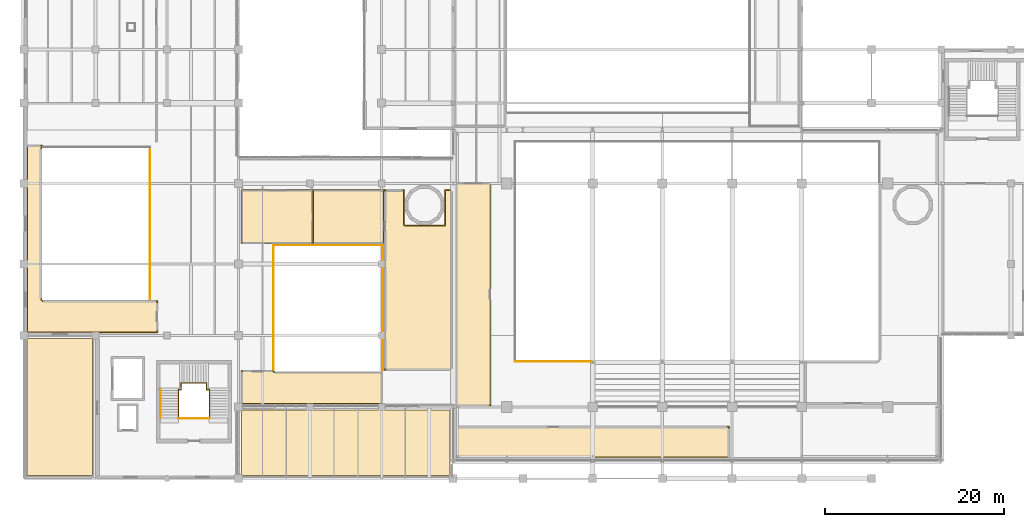
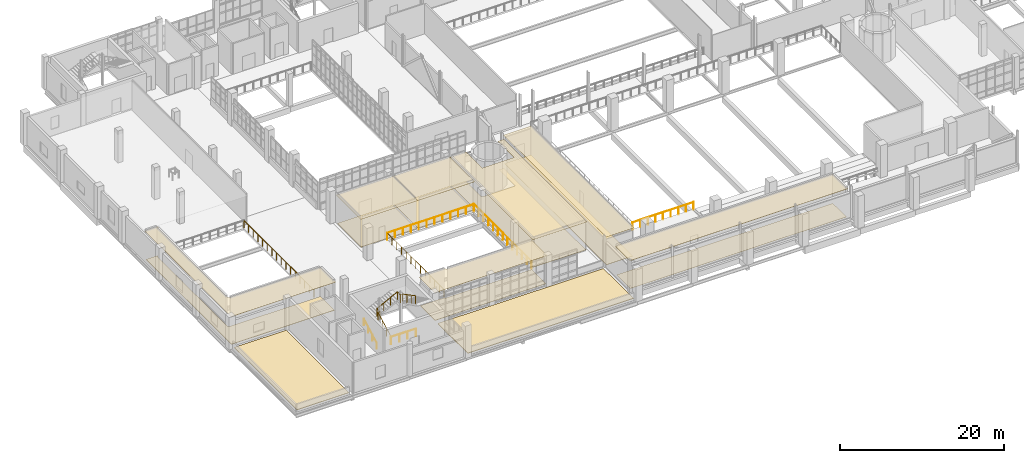
# One storey, part 98 of 102: 16 coverings, 8 railings.
"""IFC4 building model written with IfcOpenShell, lengths in metres."""

import ifcopenshell
import ifcopenshell.guid

model = None  # the IFC model being written
_history = None  # IfcOwnerHistory: only IFC2X3 demands one
_inside = {}  # id of a spatial element -> (the spatial element, [elements in it])
_under = {}  # id of a project, library or spatial element -> (it, [spatial elements below it])
_declared = {}  # id of a project -> (the project, [libraries it declares])
_typed = {}  # id of a type object -> (the type object, [elements of that type])
_made_of = {}  # id of a material, layer set ... -> (it, [elements and type objects made of it])


def new_model(schema):
    """Start an empty IFC model of exactly this schema.

    Asked for "IFC4X3", IfcOpenShell would pick the latest addendum, in which some entities
    have other attributes; the version numbers below select the first issue.
    IFC2X3 requires an IfcOwnerHistory on every rooted entity: one is made here for all.
    """
    global model, _history
    if schema == "IFC4X3":
        model = ifcopenshell.file(schema_version=(4, 3, 0, 0))
    else:
        model = ifcopenshell.file(schema=schema)
    _inside.clear()
    _under.clear()
    _declared.clear()
    _typed.clear()
    _made_of.clear()
    _history = None
    if model.schema == "IFC2X3":
        org = make("IfcOrganization", Name="unknown")
        user = make(
            "IfcPersonAndOrganization",
            ThePerson=make("IfcPerson", FamilyName="unknown"),
            TheOrganization=org,
        )
        app = make(
            "IfcApplication",
            ApplicationDeveloper=org,
            Version="unknown",
            ApplicationFullName="unknown",
            ApplicationIdentifier="unknown",
        )
        _history = make(
            "IfcOwnerHistory",
            OwningUser=user,
            OwningApplication=app,
            ChangeAction="ADDED",
            CreationDate=0,
        )
    return model


def make(cls, **values):
    """One entity of the class cls with the attributes given. An attribute that is None is left unset."""
    return model.create_entity(
        cls, **{name: value for name, value in values.items() if value is not None}
    )


def rooted(cls, **values):
    """An entity with a GlobalId (a new one), such as an element, a storey or a relation."""
    return make(cls, GlobalId=ifcopenshell.guid.new(), OwnerHistory=_history, **values)


def si_unit(unit_type, name, prefix=None):
    """IfcSIUnit, for example si_unit("LENGTHUNIT", "METRE", prefix="MILLI")."""
    return make("IfcSIUnit", UnitType=unit_type, Prefix=prefix, Name=name)


def derived_unit(unit_type, elements):
    """IfcDerivedUnit: a product of units, each with its exponent."""
    return make(
        "IfcDerivedUnit",
        Elements=[
            make("IfcDerivedUnitElement", Unit=unit, Exponent=power)
            for unit, power in elements
        ],
        UnitType=unit_type,
    )


def assignment(units):
    """IfcUnitAssignment: the units of a project."""
    return None if units is None else make("IfcUnitAssignment", Units=units)


def point(xyz):
    """IfcCartesianPoint."""
    return None if xyz is None else make("IfcCartesianPoint", Coordinates=xyz)


def direction(xyz):
    """IfcDirection."""
    return None if xyz is None else make("IfcDirection", DirectionRatios=xyz)


def frame(location, z_axis=None, x_axis=None):
    """IfcAxis2Placement3D, a coordinate frame: its origin and axes. An axis left out is left unset."""
    return make(
        "IfcAxis2Placement3D",
        Location=point(location),
        Axis=direction(z_axis),
        RefDirection=direction(x_axis),
    )


def frame_2d(location, x_axis=None):
    """IfcAxis2Placement2D, a coordinate frame in the plane: its origin and x axis."""
    return make(
        "IfcAxis2Placement2D", Location=point(location), RefDirection=direction(x_axis)
    )


def origin():
    """The frame at (0, 0, 0) with its axes left unset."""
    return frame((0.0, 0.0, 0.0))


def origin_2d():
    """The frame at (0, 0) in the plane with its x axis left unset."""
    return frame_2d((0.0, 0.0))


def place(relative_to, where):
    """IfcLocalPlacement: puts the frame where relative to a parent placement (None: the world)."""
    return make(
        "IfcLocalPlacement", PlacementRelTo=relative_to, RelativePlacement=where
    )


def context(
    kind, dimensions, precision=None, world=None, true_north=None, identifier=None
):
    """IfcGeometricRepresentationContext, for example the 3D "Model" context."""
    return make(
        "IfcGeometricRepresentationContext",
        ContextIdentifier=identifier,
        ContextType=kind,
        CoordinateSpaceDimension=dimensions,
        Precision=precision,
        WorldCoordinateSystem=world,
        TrueNorth=true_north,
    )


def subcontext(parent, identifier, kind, view, scale=None):
    """IfcGeometricRepresentationSubContext, for example "Body" below "Model"."""
    return make(
        "IfcGeometricRepresentationSubContext",
        ContextIdentifier=identifier,
        ContextType=kind,
        ParentContext=parent,
        TargetScale=scale,
        TargetView=view,
    )


def project(units=None, contexts=None):
    """IfcProject with its units and contexts."""
    return rooted(
        "IfcProject",
        Name="project",
        RepresentationContexts=contexts,
        UnitsInContext=assignment(units),
    )


def spatial(cls, under=None, at=None, **own):
    """A site, building, storey or space (cls), placed at a placement, below another one or the project."""
    s = rooted(cls, ObjectPlacement=at, **own)
    if under is not None:
        _under.setdefault(under.id(), (under, []))[1].append(s)
    return s


def polyline(points):
    """IfcPolyline through the points."""
    return make("IfcPolyline", Points=[point(p) for p in points])


def profile(cls, at=None, kind="AREA", **sizes):
    """A parametric profile (cls). Its sizes go by their IFC names, for example OverallWidth=200.0."""
    return make(cls, ProfileType=kind, Position=at, **sizes)


def circle(**sizes):
    """IfcCircleProfileDef."""
    return profile("IfcCircleProfileDef", **sizes)


def outline(outer, holes=None, kind="AREA"):
    """IfcArbitraryClosedProfileDef: a profile drawn as a closed curve; with holes, ...WithVoids."""
    if holes is None:
        return make("IfcArbitraryClosedProfileDef", ProfileType=kind, OuterCurve=outer)
    return make(
        "IfcArbitraryProfileDefWithVoids",
        ProfileType=kind,
        OuterCurve=outer,
        InnerCurves=holes,
    )


def extrude(swept, where, along, depth):
    """IfcExtrudedAreaSolid: the profile swept, set in the frame where, extruded along a direction by depth."""
    return make(
        "IfcExtrudedAreaSolid",
        SweptArea=swept,
        Position=where,
        ExtrudedDirection=direction(along),
        Depth=depth,
    )


def shape(context_of_items, identifier, shape_type, items):
    """IfcShapeRepresentation: the items that make up one representation, for example the "Body"."""
    return make(
        "IfcShapeRepresentation",
        ContextOfItems=context_of_items,
        RepresentationIdentifier=identifier,
        RepresentationType=shape_type,
        Items=items,
    )


def material(Name=None, Category=None):
    """IfcMaterial."""
    return make("IfcMaterial", Name=Name, Category=Category)


def layer(
    of_material, thickness, ventilated=None, Name=None, Category=None, Priority=None
):
    """IfcMaterialLayer: one layer of a wall or slab, of a material (None: an air gap)."""
    return make(
        "IfcMaterialLayer",
        Material=of_material,
        LayerThickness=thickness,
        IsVentilated=ventilated,
        Name=Name,
        Category=Category,
        Priority=Priority,
    )


def layer_set(layers, Name=None):
    """IfcMaterialLayerSet."""
    return make("IfcMaterialLayerSet", MaterialLayers=layers, LayerSetName=Name)


def made_of(thing, what):
    """Note that an element or type object is made of a material, layer set ...; save() writes the relation."""
    if what is not None:
        _made_of.setdefault(what.id(), (what, []))[1].append(thing)
    return thing


def type_object(cls, material=None, **own):
    """A type object (cls), such as IfcWallType, which elements share."""
    return made_of(rooted(cls, **own), material)


def element(
    cls,
    number,
    at=None,
    inside=None,
    cuts=None,
    type_object=None,
    material=None,
    context=None,
    identifier="Body",
    shape_type=None,
    held_by="IfcProductDefinitionShape",
    body=None,
    shapes=None,
    **own,
):
    """One element of the class cls, such as IfcWall. Its Tag is "e" and its number.

    at: its placement. inside: the storey or other place that contains it. cuts: it is an
    opening in that element (IfcRelVoidsElement). A single representation is given by context,
    identifier, shape_type and body (its items); several are given by shapes. held_by: the class
    of the entity that holds the representations. save() writes the other relations.
    """
    e = rooted(cls, Tag="e%d" % number, ObjectPlacement=at, **own)
    if body is not None:
        shapes = [shape(context, identifier, shape_type, body)]
    if shapes is not None:
        e.Representation = make(held_by, Representations=shapes)
    if inside is not None:
        _inside.setdefault(inside.id(), (inside, []))[1].append(e)
    if cuts is not None:
        rooted(
            "IfcRelVoidsElement", RelatingBuildingElement=cuts, RelatedOpeningElement=e
        )
    if type_object is not None:
        _typed.setdefault(type_object.id(), (type_object, []))[1].append(e)
    return made_of(e, material)


def aggregate(whole, parts):
    """IfcRelAggregates: a whole, such as a stair, and the parts it consists of."""
    return rooted("IfcRelAggregates", RelatingObject=whole, RelatedObjects=parts)


def save(model, path):
    """Write the relations noted so far, then the file.

    IfcRelAggregates (storeys below a building ...), IfcRelContainedInSpatialStructure (elements
    in a storey), IfcRelDefinesByType, IfcRelAssociatesMaterial and IfcRelDeclares: one each for
    every whole, place, type object, material and project.
    """
    for whole, parts in _under.values():
        aggregate(whole, parts)
    for where, things in _inside.values():
        rooted(
            "IfcRelContainedInSpatialStructure",
            RelatedElements=things,
            RelatingStructure=where,
        )
    for kind, things in _typed.values():
        rooted("IfcRelDefinesByType", RelatedObjects=things, RelatingType=kind)
    for what, things in _made_of.values():
        rooted("IfcRelAssociatesMaterial", RelatedObjects=things, RelatingMaterial=what)
    for by, libraries in _declared.values():
        rooted("IfcRelDeclares", RelatingContext=by, RelatedDefinitions=libraries)
    model.write(path)


model = new_model("IFC4")

# Units and contexts
model_context = context("Model", 3, precision=1e-05, world=origin(), true_north=direction((0.0, 1.0)))
body_context = subcontext(model_context, "Body", "Model", "MODEL_VIEW")
ifc_project = project(units=[si_unit("LENGTHUNIT", "METRE"), si_unit("AREAUNIT", "SQUARE_METRE"), si_unit("VOLUMEUNIT", "CUBIC_METRE"), si_unit("PLANEANGLEUNIT", "RADIAN"), si_unit("MASSUNIT", "GRAM", prefix="KILO"), derived_unit("THERMALTRANSMITTANCEUNIT", [(si_unit("POWERUNIT", "WATT"), 1), (si_unit("LENGTHUNIT", "METRE"), -2), (si_unit("THERMODYNAMICTEMPERATUREUNIT", "KELVIN"), -1)])], contexts=[model_context])

# Site, building, storey
site_placement = place(None, origin())
site = spatial("IfcSite", under=ifc_project, at=site_placement, CompositionType="ELEMENT")
building_placement = place(site_placement, origin())
building = spatial("IfcBuilding", under=site, at=building_placement, Name="Nallur Shell Playhouse", CompositionType="ELEMENT")
storey_placement = place(building_placement, frame((0.0, 0.0, 15.0)))
storey = spatial("IfcBuildingStorey", under=building, at=storey_placement, Name="L04", CompositionType="ELEMENT", Elevation=15.0)

# Coverings
ifc_material_1 = material(Name="Micro-Perforated Teak Veneer Acoustic Baffle Ceiling")
ifc_layer_1 = layer(ifc_material_1, 0.044921875)
ifc_layer_set_1 = layer_set([ifc_layer_1], Name="Micro-Perforated Teak Veneer Acoustic Baffle Ceiling")
covering_type_1 = type_object("IfcCoveringType", Name="CV-CEIL-AC1", PredefinedType="CEILING", material=ifc_layer_set_1)
covering_1_placement = place(storey_placement, frame((0.0, 0.0, 4.205078125)))
element("IfcCovering", 1, at=covering_1_placement, inside=storey, type_object=covering_type_1, Name="Main Theatre Sound, Lighting & Projection Booths suspended acoustic ceiling", PredefinedType="CEILING", context=body_context, shape_type="SweptSolid", body=[
    extrude(outline(polyline([(94.909912109375, 13.860107421875), (94.909912109375, 10.2900390625), (64.2900390625, 10.2900390625), (64.2900390625, 13.860107421875), (94.909912109375, 13.860107421875)])), origin(), (0.0, 0.0, 1.0), 0.044921875),
])
covering_2_placement = place(storey_placement, frame((0.0, 0.0, 4.205078125)))
element("IfcCovering", 2, at=covering_2_placement, inside=storey, type_object=covering_type_1, Name="Upper Circle Espresso & Refreshment Kiosk suspended acoustic ceiling", PredefinedType="CEILING", context=body_context, shape_type="SweptSolid", body=[
    extrude(outline(polyline([(56.2900390625, 40.31005859375), (58.56005859375, 40.31005859375), (58.56005859375, 36.360107421875), (63.0400390625, 36.360107421875), (63.0400390625, 40.31005859375), (63.909912109375, 40.31005859375), (63.909912109375, 20.090087890625), (56.2900390625, 20.090087890625), (56.2900390625, 40.31005859375)])), origin(), (0.0, 0.0, 1.0), 0.044921875),
])
covering_3_placement = place(storey_placement, frame((0.0, 0.0, 4.205078125)))
element("IfcCovering", 3, at=covering_3_placement, inside=storey, type_object=covering_type_1, Name="Upper Circle Female Restroom suspended acoustic ceiling", PredefinedType="CEILING", context=body_context, shape_type="SweptSolid", body=[
    extrude(outline(polyline([(48.2900390625, 40.31005859375), (56.31005859375, 40.31005859375), (56.31005859375, 34.2900390625), (48.2900390625, 34.2900390625), (48.2900390625, 40.31005859375)])), origin(), (0.0, 0.0, 1.0), 0.044921875),
])
ifc_material_2 = material(Name="Mineral-Fibre High-NRC Suspended Ceiling Tile")
ifc_layer_2 = layer(ifc_material_2, 0.030029296875)
ifc_layer_set_2 = layer_set([ifc_layer_2], Name="Mineral-Fibre High-NRC Suspended Ceiling Tile")
covering_type_2 = type_object("IfcCoveringType", Name="CV-CEIL-AC2", PredefinedType="CEILING", material=ifc_layer_set_2)
covering_4_placement = place(storey_placement, frame((0.0, 0.0, 4.219970703125)))
element("IfcCovering", 4, at=covering_4_placement, inside=storey, type_object=covering_type_2, Name="Upper Circle Donors & Composers Lounge suspended acoustic ceiling", PredefinedType="CEILING", context=body_context, shape_type="SweptSolid", body=[
    extrude(outline(polyline([(68.2099609375, 41.110107421875), (68.2099609375, 16.090087890625), (64.2900390625, 16.090087890625), (64.2900390625, 41.110107421875), (68.2099609375, 41.110107421875)])), origin(), (0.0, 0.0, 1.0), 0.030029296875),
])
covering_5_placement = place(storey_placement, frame((0.0, 0.0, 4.219970703125)))
element("IfcCovering", 5, at=covering_5_placement, inside=storey, type_object=covering_type_2, Name="Upper Circle Panoramic Overlook Gallery suspended acoustic ceiling", PredefinedType="CEILING", context=body_context, shape_type="SweptSolid", body=[
    extrude(outline(polyline([(43.97509765625, 19.983642578125), (43.976806640625, 19.981201171875), (43.97900390625, 19.97900390625), (43.981201171875, 19.976806640625), (43.983642578125, 19.97509765625), (43.98583984375, 19.9736328125), (43.988525390625, 19.972412109375), (43.991455078125, 19.971435546875), (43.993896484375, 19.970703125), (43.9970703125, 19.97021484375), (44.002685546875, 19.969970703125), (56.110107421875, 19.969970703125), (56.110107421875, 16.2900390625), (40.2900390625, 16.2900390625), (40.2900390625, 20.110107421875), (43.964599609375, 20.110107421875), (43.97021484375, 19.9970703125), (43.970703125, 19.993896484375), (43.971435546875, 19.991455078125), (43.972412109375, 19.988525390625), (43.9736328125, 19.98583984375), (43.97509765625, 19.983642578125)])), origin(), (0.0, 0.0, 1.0), 0.030029296875),
])
covering_6_placement = place(storey_placement, frame((0.0, 0.0, 4.219970703125)))
element("IfcCovering", 6, at=covering_6_placement, inside=storey, type_object=covering_type_2, Name="Black-Box Tension Wire-Grid & Technical Catwalk suspended acoustic ceiling", PredefinedType="CEILING", context=body_context, shape_type="SweptSolid", body=[
    extrude(outline(polyline([(17.992431640625, 45.00634765625), (17.99169921875, 45.005615234375), (17.9912109375, 45.004638671875), (17.990966796875, 45.00390625), (17.990478515625, 45.0029296875), (17.990234375, 45.001708984375), (17.990234375, 45.0009765625), (17.989990234375, 44.997314453125), (17.989990234375, 28.002685546875), (17.990234375, 27.9990234375), (17.990234375, 27.998291015625), (17.990478515625, 27.9970703125), (17.990966796875, 27.99609375), (17.9912109375, 27.995361328125), (17.99169921875, 27.994384765625), (17.992431640625, 27.99365234375), (17.992919921875, 27.992919921875), (17.99365234375, 27.992431640625), (17.994384765625, 27.99169921875), (17.995361328125, 27.9912109375), (17.99609375, 27.990966796875), (17.9970703125, 27.990478515625), (17.998291015625, 27.990234375), (17.9990234375, 27.990234375), (18.110107421875, 27.984619140625), (18.110107421875, 27.909912109375), (30.989990234375, 27.909912109375), (30.989990234375, 24.2900390625), (16.2900390625, 24.2900390625), (16.2900390625, 45.31005859375), (18.110107421875, 45.31005859375), (18.110107421875, 45.015380859375), (17.9990234375, 45.009765625), (17.998291015625, 45.009765625), (17.9970703125, 45.009521484375), (17.99609375, 45.009033203125), (17.995361328125, 45.0087890625), (17.994384765625, 45.00830078125), (17.99365234375, 45.007568359375), (17.992919921875, 45.007080078125), (17.992431640625, 45.00634765625)])), origin(), (0.0, 0.0, 1.0), 0.030029296875),
])
covering_7_placement = place(storey_placement, frame((0.0, 0.0, 4.219970703125)))
element("IfcCovering", 7, at=covering_7_placement, inside=storey, type_object=covering_type_2, Name="Upper Circle Male Restroom suspended acoustic ceiling", PredefinedType="CEILING", context=body_context, shape_type="SweptSolid", body=[
    extrude(outline(polyline([(40.2900390625, 40.31005859375), (48.31005859375, 40.31005859375), (48.31005859375, 34.2900390625), (40.2900390625, 34.2900390625), (40.2900390625, 40.31005859375)])), origin(), (0.0, 0.0, 1.0), 0.030029296875),
])
ifc_material_3 = material(Name="Heavy-Duty Woven Wool Auditorium Acoustic Flooring")
ifc_layer_3 = layer(ifc_material_3, 0.02001953125)
ifc_layer_set_3 = layer_set([ifc_layer_3], Name="Heavy-Duty Woven Wool Auditorium Acoustic Flooring")
covering_type_3 = type_object("IfcCoveringType", Name="CV-FLOR-CARPET", PredefinedType="FLOORING", material=ifc_layer_set_3)
covering_8_placement = place(storey_placement, origin())
element("IfcCovering", 8, at=covering_8_placement, inside=storey, type_object=covering_type_3, Name="Main Theatre Sound, Lighting & Projection Booths floor finish", PredefinedType="FLOORING", context=body_context, shape_type="SweptSolid", body=[
    extrude(outline(polyline([(94.800048828125, 13.75), (94.800048828125, 10.39990234375), (64.39990234375, 10.39990234375), (64.39990234375, 13.75), (94.800048828125, 13.75)])), origin(), (0.0, 0.0, 1.0), 0.02001953125),
])
ifc_material_4 = material(Name="Polished Chettinad Oxide & White Marble Terrazzo Flooring", Category="masonry")
ifc_layer_4 = layer(ifc_material_4, 0.050048828125)
ifc_layer_set_4 = layer_set([ifc_layer_4], Name="Polished Chettinad Oxide & White Marble Terrazzo Flooring")
covering_type_4 = type_object("IfcCoveringType", Name="CV-FLOR-TERRAZZO", PredefinedType="FLOORING", material=ifc_layer_set_4)
covering_9_placement = place(storey_placement, origin())
element("IfcCovering", 9, at=covering_9_placement, inside=storey, type_object=covering_type_4, Name="Upper Circle Donors & Composers Lounge floor finish", PredefinedType="FLOORING", context=body_context, shape_type="SweptSolid", body=[
    extrude(outline(polyline([(68.10009765625, 41.0), (68.10009765625, 16.199951171875), (64.39990234375, 16.199951171875), (64.39990234375, 41.0), (68.10009765625, 41.0)])), origin(), (0.0, 0.0, 1.0), 0.050048828125),
])
covering_10_placement = place(storey_placement, origin())
element("IfcCovering", 10, at=covering_10_placement, inside=storey, type_object=covering_type_4, Name="Upper Circle Panoramic Overlook Gallery floor finish", PredefinedType="FLOORING", context=body_context, shape_type="SweptSolid", body=[
    extrude(outline(polyline([(43.883544921875, 19.922119140625), (43.891845703125, 19.9111328125), (43.90087890625, 19.90087890625), (43.9111328125, 19.891845703125), (43.922119140625, 19.883544921875), (43.93408203125, 19.87646484375), (43.9462890625, 19.87060546875), (43.95947265625, 19.865966796875), (43.97265625, 19.86279296875), (43.986328125, 19.860595703125), (44.0, 19.860107421875), (56.0, 19.860107421875), (56.0, 16.39990234375), (40.39990234375, 16.39990234375), (40.39990234375, 20.0), (43.860107421875, 20.0), (43.860595703125, 19.986328125), (43.86279296875, 19.97265625), (43.865966796875, 19.95947265625), (43.87060546875, 19.9462890625), (43.87646484375, 19.93408203125), (43.883544921875, 19.922119140625)])), origin(), (0.0, 0.0, 1.0), 0.050048828125),
])
covering_11_placement = place(storey_placement, origin())
element("IfcCovering", 11, at=covering_11_placement, inside=storey, type_object=covering_type_4, Name="Upper Circle Espresso & Refreshment Kiosk floor finish", PredefinedType="FLOORING", context=body_context, shape_type="SweptSolid", body=[
    extrude(outline(polyline([(58.466796875, 36.29443359375), (58.47265625, 36.28662109375), (58.479248046875, 36.279296875), (58.486572265625, 36.272705078125), (58.494384765625, 36.266845703125), (58.5029296875, 36.26171875), (58.51171875, 36.257568359375), (58.52099609375, 36.25439453125), (58.530517578125, 36.251953125), (58.540283203125, 36.25048828125), (58.550048828125, 36.25), (63.050048828125, 36.25), (63.059814453125, 36.25048828125), (63.069580078125, 36.251953125), (63.0791015625, 36.25439453125), (63.08837890625, 36.257568359375), (63.09716796875, 36.26171875), (63.105712890625, 36.266845703125), (63.11328125, 36.272705078125), (63.12060546875, 36.279296875), (63.127197265625, 36.28662109375), (63.133056640625, 36.29443359375), (63.13818359375, 36.302978515625), (63.142333984375, 36.311767578125), (63.145751953125, 36.321044921875), (63.148193359375, 36.33056640625), (63.1494140625, 36.340087890625), (63.14990234375, 36.35009765625), (63.14990234375, 40.199951171875), (63.800048828125, 40.199951171875), (63.800048828125, 20.199951171875), (56.39990234375, 20.199951171875), (56.39990234375, 40.199951171875), (58.449951171875, 40.199951171875), (58.449951171875, 36.35009765625), (58.450439453125, 36.340087890625), (58.451904296875, 36.33056640625), (58.454345703125, 36.321044921875), (58.45751953125, 36.311767578125), (58.4619140625, 36.302978515625), (58.466796875, 36.29443359375)])), origin(), (0.0, 0.0, 1.0), 0.050048828125),
])
covering_12_placement = place(storey_placement, origin())
element("IfcCovering", 12, at=covering_12_placement, inside=storey, type_object=covering_type_4, Name="Upper Circle Male Restroom floor finish", PredefinedType="FLOORING", context=body_context, shape_type="SweptSolid", body=[
    extrude(outline(polyline([(40.39990234375, 40.199951171875), (48.199951171875, 40.199951171875), (48.199951171875, 34.39990234375), (40.39990234375, 34.39990234375), (40.39990234375, 40.199951171875)])), origin(), (0.0, 0.0, 1.0), 0.050048828125),
])
covering_13_placement = place(storey_placement, origin())
element("IfcCovering", 13, at=covering_13_placement, inside=storey, type_object=covering_type_4, Name="Upper Circle Female Restroom floor finish", PredefinedType="FLOORING", context=body_context, shape_type="SweptSolid", body=[
    extrude(outline(polyline([(48.39990234375, 40.199951171875), (56.199951171875, 40.199951171875), (56.199951171875, 34.39990234375), (48.39990234375, 34.39990234375), (48.39990234375, 40.199951171875)])), origin(), (0.0, 0.0, 1.0), 0.050048828125),
])
ifc_material_5 = material(Name="Sprung Semi-Resilient Stage & Dance Hardwood Flooring", Category="wood")
ifc_layer_5 = layer(ifc_material_5, 0.054931640625)
ifc_layer_set_5 = layer_set([ifc_layer_5], Name="Sprung Semi-Resilient Stage & Dance Hardwood Flooring")
covering_type_5 = type_object("IfcCoveringType", Name="CV-FLOR-TIMBER", PredefinedType="FLOORING", material=ifc_layer_set_5)
covering_14_placement = place(storey_placement, origin())
element("IfcCovering", 14, at=covering_14_placement, inside=storey, type_object=covering_type_5, Name="Black-Box Tension Wire-Grid & Technical Catwalk floor finish", PredefinedType="FLOORING", context=body_context, shape_type="SweptSolid", body=[
    extrude(outline(polyline([(17.9072265625, 45.076171875), (17.900146484375, 45.066650390625), (17.894287109375, 45.056640625), (17.88916015625, 45.0458984375), (17.88525390625, 45.034912109375), (17.88232421875, 45.0234375), (17.880615234375, 45.01171875), (17.8798828125, 45.0), (17.8798828125, 28.0), (17.880615234375, 27.98828125), (17.88232421875, 27.9765625), (17.88525390625, 27.965087890625), (17.88916015625, 27.9541015625), (17.894287109375, 27.943359375), (17.900146484375, 27.933349609375), (17.9072265625, 27.923828125), (17.9150390625, 27.9150390625), (17.923828125, 27.9072265625), (17.933349609375, 27.900146484375), (17.943359375, 27.894287109375), (17.9541015625, 27.88916015625), (17.965087890625, 27.88525390625), (17.9765625, 27.88232421875), (17.98828125, 27.880615234375), (18.0, 27.8798828125), (18.0, 27.800048828125), (30.8798828125, 27.800048828125), (30.8798828125, 24.39990234375), (18.0, 24.39990234375), (16.39990234375, 24.39990234375), (16.39990234375, 27.800048828125), (16.39990234375, 45.199951171875), (18.0, 45.199951171875), (18.0, 45.1201171875), (17.98828125, 45.119384765625), (17.9765625, 45.11767578125), (17.965087890625, 45.11474609375), (17.9541015625, 45.11083984375), (17.943359375, 45.105712890625), (17.933349609375, 45.099853515625), (17.923828125, 45.0927734375), (17.9150390625, 45.0849609375), (17.9072265625, 45.076171875)])), origin(), (0.0, 0.0, 1.0), 0.054931640625),
])
ifc_material_6 = material(Name="TPO Reflective Waterproofing & Rigid PIR Roof Insulation")
ifc_layer_6 = layer(ifc_material_6, 0.06494140625)
ifc_layer_set_6 = layer_set([ifc_layer_6], Name="TPO Reflective Waterproofing & Rigid PIR Roof Insulation")
covering_type_6 = type_object("IfcCoveringType", Name="CV-ROOF-MEMB1", PredefinedType="ROOFING", material=ifc_layer_set_6)
covering_15_placement = place(storey_placement, origin())
element("IfcCovering", 15, at=covering_15_placement, inside=storey, type_object=covering_type_6, Name="L04 insulated waterproof roof covering 19", PredefinedType="ROOFING", context=body_context, shape_type="SweptSolid", body=[
    extrude(outline(polyline([(16.35009765625, 23.64990234375), (23.64990234375, 23.64990234375), (23.64990234375, 8.35009765625), (16.35009765625, 8.35009765625), (16.35009765625, 23.64990234375)])), origin(), (0.0, 0.0, 1.0), 0.06494140625),
])
ifc_material_7 = material(Name="Standing-Seam Zinc-Aluminium Acoustic Roof Build-Up", Category="aluminium")
ifc_layer_7 = layer(ifc_material_7, 0.080078125)
ifc_layer_set_7 = layer_set([ifc_layer_7], Name="Standing-Seam Zinc-Aluminium Acoustic Roof Build-Up")
covering_type_7 = type_object("IfcCoveringType", Name="CV-ROOF-MEMB2", PredefinedType="ROOFING", material=ifc_layer_set_7)
covering_16_placement = place(storey_placement, origin())
element("IfcCovering", 16, at=covering_16_placement, inside=storey, type_object=covering_type_7, Name="L04 insulated waterproof roof covering 16", PredefinedType="ROOFING", context=body_context, shape_type="SweptSolid", body=[
    extrude(outline(polyline([(40.35009765625, 15.64990234375), (63.64990234375, 15.64990234375), (63.64990234375, 8.35009765625), (40.35009765625, 8.35009765625), (40.35009765625, 15.64990234375)])), origin(), (0.0, 0.0, 1.0), 0.080078125),
])

# Railings
ifc_material_8 = material(Name="Bronze-Anodised Foyer Void Acoustic Glass Guardrail", Category="glass")
railing_type_1 = type_object("IfcRailingType", Name="RL-BAL-1100", PredefinedType="BALUSTRADE", material=ifc_material_8)
railing_1_placement = place(storey_placement, frame((70.89990234375, 21.10009765625, 0.0)))
element("IfcRailing", 17, at=railing_1_placement, inside=storey, type_object=railing_type_1, Name="L04 interior void balustrade 015", PredefinedType="BALUSTRADE", context=body_context, shape_type="SweptSolid", body=[
    extrude(circle(Radius=0.02392578125, at=origin_2d()), frame((0.0, 0.0, 1.09619140625), z_axis=(1.0, 0.0, 0.0), x_axis=(0.0, 1.0, 0.0)), (0.0, 0.0, 1.0), 8.580078125),
    extrude(circle(Radius=0.02099609375, at=origin_2d()), origin(), (0.0, 0.0, 1.0), 1.072021484375),
    extrude(circle(Radius=0.02099609375, at=origin_2d()), frame((1.072509765625, 0.0, 0.0)), (0.0, 0.0, 1.0), 1.072021484375),
    extrude(circle(Radius=0.02099609375, at=origin_2d()), frame((2.14501953125, 0.0, 0.0)), (0.0, 0.0, 1.0), 1.072021484375),
    extrude(circle(Radius=0.02099609375, at=origin_2d()), frame((3.217529296875, 0.0, 0.0)), (0.0, 0.0, 1.0), 1.072021484375),
    extrude(circle(Radius=0.02099609375, at=origin_2d()), frame((4.2900390625, 0.0, 0.0)), (0.0, 0.0, 1.0), 1.072021484375),
    extrude(circle(Radius=0.02099609375, at=origin_2d()), frame((5.362548828125, 0.0, 0.0)), (0.0, 0.0, 1.0), 1.072021484375),
    extrude(circle(Radius=0.02099609375, at=origin_2d()), frame((6.43505859375, 0.0, 0.0)), (0.0, 0.0, 1.0), 1.072021484375),
    extrude(circle(Radius=0.02099609375, at=origin_2d()), frame((7.507568359375, 0.0, 0.0)), (0.0, 0.0, 1.0), 1.072021484375),
    extrude(circle(Radius=0.02099609375, at=origin_2d()), frame((8.580078125, 0.0, 0.0)), (0.0, 0.0, 1.0), 1.072021484375),
])
railing_2_placement = place(storey_placement, frame((56.10009765625, 20.060791015625, 0.0)))
element("IfcRailing", 18, at=railing_2_placement, inside=storey, type_object=railing_type_1, Name="L04 interior void balustrade 019", PredefinedType="BALUSTRADE", context=body_context, shape_type="SweptSolid", body=[
    extrude(circle(Radius=0.02392578125, at=origin_2d()), frame((0.0, 0.0, 1.09619140625), z_axis=(0.0, 1.0, 0.0), x_axis=(-1.0, 0.0, 0.0)), (0.0, 0.0, 1.0), 14.039306640625),
    extrude(circle(Radius=0.02099609375, at=origin_2d()), origin(), (0.0, 0.0, 1.0), 1.072021484375),
    extrude(circle(Radius=0.02099609375, at=origin_2d()), frame((0.0, 1.169921875, 0.0)), (0.0, 0.0, 1.0), 1.072021484375),
    extrude(circle(Radius=0.02099609375, at=origin_2d()), frame((0.0, 2.33984375, 0.0)), (0.0, 0.0, 1.0), 1.072021484375),
    extrude(circle(Radius=0.02099609375, at=origin_2d()), frame((0.0, 3.509765625, 0.0)), (0.0, 0.0, 1.0), 1.072021484375),
    extrude(circle(Radius=0.02099609375, at=origin_2d()), frame((0.0, 4.6796875, 0.0)), (0.0, 0.0, 1.0), 1.072021484375),
    extrude(circle(Radius=0.02099609375, at=origin_2d()), frame((0.0, 5.849609375, 0.0)), (0.0, 0.0, 1.0), 1.072021484375),
    extrude(circle(Radius=0.02099609375, at=origin_2d()), frame((0.0, 7.01953125, 0.0)), (0.0, 0.0, 1.0), 1.072021484375),
    extrude(circle(Radius=0.02099609375, at=origin_2d()), frame((0.0, 8.189697265625, 0.0)), (0.0, 0.0, 1.0), 1.072021484375),
    extrude(circle(Radius=0.02099609375, at=origin_2d()), frame((0.0, 9.359619140625, 0.0)), (0.0, 0.0, 1.0), 1.072021484375),
    extrude(circle(Radius=0.02099609375, at=origin_2d()), frame((0.0, 10.529541015625, 0.0)), (0.0, 0.0, 1.0), 1.072021484375),
    extrude(circle(Radius=0.02099609375, at=origin_2d()), frame((0.0, 11.699462890625, 0.0)), (0.0, 0.0, 1.0), 1.072021484375),
    extrude(circle(Radius=0.02099609375, at=origin_2d()), frame((0.0, 12.869384765625, 0.0)), (0.0, 0.0, 1.0), 1.072021484375),
    extrude(circle(Radius=0.02099609375, at=origin_2d()), frame((0.0, 14.039306640625, 0.0)), (0.0, 0.0, 1.0), 1.072021484375),
])
railing_3_placement = place(storey_placement, frame((56.10009765625, 34.10009765625, 0.0)))
element("IfcRailing", 19, at=railing_3_placement, inside=storey, type_object=railing_type_1, Name="L04 interior void balustrade 020", PredefinedType="BALUSTRADE", context=body_context, shape_type="SweptSolid", body=[
    extrude(circle(Radius=0.02392578125, at=origin_2d()), frame((0.0, 0.0, 1.09619140625), z_axis=(-1.0, 0.0, 0.0), x_axis=(0.0, -1.0, 0.0)), (0.0, 0.0, 1.0), 12.2001953125),
    extrude(circle(Radius=0.02099609375, at=origin_2d()), origin(), (0.0, 0.0, 1.0), 1.072021484375),
    extrude(circle(Radius=0.02099609375, at=origin_2d()), frame((-1.109130859375, 0.0, 0.0)), (0.0, 0.0, 1.0), 1.072021484375),
    extrude(circle(Radius=0.02099609375, at=origin_2d()), frame((-2.21826171875, 0.0, 0.0)), (0.0, 0.0, 1.0), 1.072021484375),
    extrude(circle(Radius=0.02099609375, at=origin_2d()), frame((-3.327392578125, 0.0, 0.0)), (0.0, 0.0, 1.0), 1.072021484375),
    extrude(circle(Radius=0.02099609375, at=origin_2d()), frame((-4.4365234375, 0.0, 0.0)), (0.0, 0.0, 1.0), 1.072021484375),
    extrude(circle(Radius=0.02099609375, at=origin_2d()), frame((-5.545654296875, 0.0, 0.0)), (0.0, 0.0, 1.0), 1.072021484375),
    extrude(circle(Radius=0.02099609375, at=origin_2d()), frame((-6.654541015625, 0.0, 0.0)), (0.0, 0.0, 1.0), 1.072021484375),
    extrude(circle(Radius=0.02099609375, at=origin_2d()), frame((-7.763671875, 0.0, 0.0)), (0.0, 0.0, 1.0), 1.072021484375),
    extrude(circle(Radius=0.02099609375, at=origin_2d()), frame((-8.872802734375, 0.0, 0.0)), (0.0, 0.0, 1.0), 1.072021484375),
    extrude(circle(Radius=0.02099609375, at=origin_2d()), frame((-9.98193359375, 0.0, 0.0)), (0.0, 0.0, 1.0), 1.072021484375),
    extrude(circle(Radius=0.02099609375, at=origin_2d()), frame((-11.091064453125, 0.0, 0.0)), (0.0, 0.0, 1.0), 1.072021484375),
    extrude(circle(Radius=0.02099609375, at=origin_2d()), frame((-12.2001953125, 0.0, 0.0)), (0.0, 0.0, 1.0), 1.072021484375),
])
railing_4_placement = place(storey_placement, frame((43.89990234375, 34.10009765625, 0.0)))
element("IfcRailing", 20, at=railing_4_placement, inside=storey, type_object=railing_type_1, Name="L04 interior void balustrade 021", PredefinedType="BALUSTRADE", context=body_context, shape_type="SweptSolid", body=[
    extrude(circle(Radius=0.02392578125, at=origin_2d()), frame((0.0, 0.0, 1.09619140625), z_axis=(0.0, -1.0, 0.0), x_axis=(1.0, 0.0, 0.0)), (0.0, 0.0, 1.0), 13.85498046875),
    extrude(circle(Radius=0.02099609375, at=origin_2d()), origin(), (0.0, 0.0, 1.0), 1.072021484375),
    extrude(circle(Radius=0.02099609375, at=origin_2d()), frame((0.0, -1.154541015625, 0.0)), (0.0, 0.0, 1.0), 1.072021484375),
    extrude(circle(Radius=0.02099609375, at=origin_2d()), frame((0.0, -2.30908203125, 0.0)), (0.0, 0.0, 1.0), 1.072021484375),
    extrude(circle(Radius=0.02099609375, at=origin_2d()), frame((0.0, -3.4638671875, 0.0)), (0.0, 0.0, 1.0), 1.072021484375),
    extrude(circle(Radius=0.02099609375, at=origin_2d()), frame((0.0, -4.618408203125, 0.0)), (0.0, 0.0, 1.0), 1.072021484375),
    extrude(circle(Radius=0.02099609375, at=origin_2d()), frame((0.0, -5.77294921875, 0.0)), (0.0, 0.0, 1.0), 1.072021484375),
    extrude(circle(Radius=0.02099609375, at=origin_2d()), frame((0.0, -6.927490234375, 0.0)), (0.0, 0.0, 1.0), 1.072021484375),
    extrude(circle(Radius=0.02099609375, at=origin_2d()), frame((0.0, -8.08203125, 0.0)), (0.0, 0.0, 1.0), 1.072021484375),
    extrude(circle(Radius=0.02099609375, at=origin_2d()), frame((0.0, -9.236572265625, 0.0)), (0.0, 0.0, 1.0), 1.072021484375),
    extrude(circle(Radius=0.02099609375, at=origin_2d()), frame((0.0, -10.39111328125, 0.0)), (0.0, 0.0, 1.0), 1.072021484375),
    extrude(circle(Radius=0.02099609375, at=origin_2d()), frame((0.0, -11.5458984375, 0.0)), (0.0, 0.0, 1.0), 1.072021484375),
    extrude(circle(Radius=0.02099609375, at=origin_2d()), frame((0.0, -12.700439453125, 0.0)), (0.0, 0.0, 1.0), 1.072021484375),
    extrude(circle(Radius=0.02099609375, at=origin_2d()), frame((0.0, -13.85498046875, 0.0)), (0.0, 0.0, 1.0), 1.072021484375),
])
railing_5_placement = place(storey_placement, frame((30.10009765625, 28.080078125, 0.0)))
element("IfcRailing", 21, at=railing_5_placement, inside=storey, type_object=railing_type_1, Name="L04 interior void balustrade 024", PredefinedType="BALUSTRADE", context=body_context, shape_type="SweptSolid", body=[
    extrude(circle(Radius=0.02392578125, at=origin_2d()), frame((0.0, 0.0, 1.09619140625), z_axis=(0.0, 1.0, 0.0), x_axis=(-1.0, 0.0, 0.0)), (0.0, 0.0, 1.0), 17.02001953125),
    extrude(circle(Radius=0.02099609375, at=origin_2d()), origin(), (0.0, 0.0, 1.0), 1.072021484375),
    extrude(circle(Radius=0.02099609375, at=origin_2d()), frame((0.0, 1.134765625, 0.0)), (0.0, 0.0, 1.0), 1.072021484375),
    extrude(circle(Radius=0.02099609375, at=origin_2d()), frame((0.0, 2.269287109375, 0.0)), (0.0, 0.0, 1.0), 1.072021484375),
    extrude(circle(Radius=0.02099609375, at=origin_2d()), frame((0.0, 3.404052734375, 0.0)), (0.0, 0.0, 1.0), 1.072021484375),
    extrude(circle(Radius=0.02099609375, at=origin_2d()), frame((0.0, 4.53857421875, 0.0)), (0.0, 0.0, 1.0), 1.072021484375),
    extrude(circle(Radius=0.02099609375, at=origin_2d()), frame((0.0, 5.67333984375, 0.0)), (0.0, 0.0, 1.0), 1.072021484375),
    extrude(circle(Radius=0.02099609375, at=origin_2d()), frame((0.0, 6.80810546875, 0.0)), (0.0, 0.0, 1.0), 1.072021484375),
    extrude(circle(Radius=0.02099609375, at=origin_2d()), frame((0.0, 7.942626953125, 0.0)), (0.0, 0.0, 1.0), 1.072021484375),
    extrude(circle(Radius=0.02099609375, at=origin_2d()), frame((0.0, 9.077392578125, 0.0)), (0.0, 0.0, 1.0), 1.072021484375),
    extrude(circle(Radius=0.02099609375, at=origin_2d()), frame((0.0, 10.2119140625, 0.0)), (0.0, 0.0, 1.0), 1.072021484375),
    extrude(circle(Radius=0.02099609375, at=origin_2d()), frame((0.0, 11.3466796875, 0.0)), (0.0, 0.0, 1.0), 1.072021484375),
    extrude(circle(Radius=0.02099609375, at=origin_2d()), frame((0.0, 12.4814453125, 0.0)), (0.0, 0.0, 1.0), 1.072021484375),
    extrude(circle(Radius=0.02099609375, at=origin_2d()), frame((0.0, 13.615966796875, 0.0)), (0.0, 0.0, 1.0), 1.072021484375),
    extrude(circle(Radius=0.02099609375, at=origin_2d()), frame((0.0, 14.750732421875, 0.0)), (0.0, 0.0, 1.0), 1.072021484375),
    extrude(circle(Radius=0.02099609375, at=origin_2d()), frame((0.0, 15.88525390625, 0.0)), (0.0, 0.0, 1.0), 1.072021484375),
    extrude(circle(Radius=0.02099609375, at=origin_2d()), frame((0.0, 17.02001953125, 0.0)), (0.0, 0.0, 1.0), 1.072021484375),
])
ifc_material_9 = material(Name="Brushed Stainless Steel 316 Balustrade & Toughened Infill", Category="steel")
railing_type_2 = type_object("IfcRailingType", Name="RL-GUARD-1100", PredefinedType="BALUSTRADE", material=ifc_material_9)
railing_6_placement = place(storey_placement, frame((33.260009765625, 14.800048828125, 0.0)))
element("IfcRailing", 22, at=railing_6_placement, inside=storey, type_object=railing_type_2, Name="Stair ST-01-L04 inner open-well guard", PredefinedType="BALUSTRADE", context=body_context, shape_type="SweptSolid", body=[
    extrude(circle(Radius=0.02392578125, at=origin_2d()), frame((0.0, 0.0, 1.15576171875), z_axis=(0.0, 0.885228583928, 0.465156268578), x_axis=(-1.0, 0.0, 0.0)), (0.0, 0.0, 1.0), 3.546875),
    extrude(circle(Radius=0.02392578125, at=origin_2d()), frame((0.0, 3.139892578125, 2.8056640625), z_axis=(1.0, 0.0, 0.0), x_axis=(0.0, 1.0, 0.0)), (0.0, 0.0, 1.0), 0.304931640625),
    extrude(circle(Radius=0.02392578125, at=origin_2d()), frame((0.304931640625, 3.139892578125, 2.8056640625), z_axis=(0.0, 1.0, 0.0), x_axis=(-1.0, 0.0, 0.0)), (0.0, 0.0, 1.0), 0.760009765625),
    extrude(circle(Radius=0.02392578125, at=origin_2d()), frame((0.304931640625, 3.89990234375, 2.8056640625), z_axis=(0.886262018935, 0.0, 0.463184233101), x_axis=(0.0, 1.0, 0.0)), (0.0, 0.0, 1.0), 3.238525390625),
    extrude(circle(Radius=0.02392578125, at=origin_2d()), frame((3.175048828125, 3.89990234375, 4.3056640625), z_axis=(0.0, -1.0, 0.0), x_axis=(1.0, 0.0, 0.0)), (0.0, 0.0, 1.0), 0.760009765625),
    extrude(circle(Radius=0.02392578125, at=origin_2d()), frame((3.175048828125, 3.139892578125, 4.3056640625), z_axis=(1.0, 0.0, 0.0), x_axis=(0.0, 1.0, 0.0)), (0.0, 0.0, 1.0), 0.304931640625),
    extrude(circle(Radius=0.02392578125, at=origin_2d()), frame((3.47998046875, 3.139892578125, 4.3056640625), z_axis=(0.0, -0.885200240898, 0.465210203579), x_axis=(1.0, 0.0, 0.0)), (0.0, 0.0, 1.0), 3.547119140625),
    extrude(circle(Radius=0.02099609375, at=origin_2d()), origin(), (0.0, 0.0, 1.0), 1.1318359375),
    extrude(circle(Radius=0.02099609375, at=origin_2d()), frame((0.0, 1.046630859375, 0.550048828125)), (0.0, 0.0, 1.0), 1.1318359375),
    extrude(circle(Radius=0.02099609375, at=origin_2d()), frame((0.0, 2.09326171875, 1.099853515625)), (0.0, 0.0, 1.0), 1.1318359375),
    extrude(circle(Radius=0.02099609375, at=origin_2d()), frame((0.0, 3.139892578125, 1.64990234375)), (0.0, 0.0, 1.0), 1.1318359375),
    extrude(circle(Radius=0.02099609375, at=origin_2d()), frame((0.304931640625, 3.139892578125, 1.64990234375)), (0.0, 0.0, 1.0), 1.1318359375),
    extrude(circle(Radius=0.02099609375, at=origin_2d()), frame((0.304931640625, 3.89990234375, 1.64990234375)), (0.0, 0.0, 1.0), 1.1318359375),
    extrude(circle(Radius=0.02099609375, at=origin_2d()), frame((1.26171875, 3.89990234375, 2.14990234375)), (0.0, 0.0, 1.0), 1.1318359375),
    extrude(circle(Radius=0.02099609375, at=origin_2d()), frame((2.21826171875, 3.89990234375, 2.64990234375)), (0.0, 0.0, 1.0), 1.1318359375),
    extrude(circle(Radius=0.02099609375, at=origin_2d()), frame((3.175048828125, 3.89990234375, 3.14990234375)), (0.0, 0.0, 1.0), 1.1318359375),
    extrude(circle(Radius=0.02099609375, at=origin_2d()), frame((3.175048828125, 3.139892578125, 3.14990234375)), (0.0, 0.0, 1.0), 1.1318359375),
    extrude(circle(Radius=0.02099609375, at=origin_2d()), frame((3.47998046875, 3.139892578125, 3.14990234375)), (0.0, 0.0, 1.0), 1.1318359375),
    extrude(circle(Radius=0.02099609375, at=origin_2d()), frame((3.47998046875, 2.09326171875, 3.699951171875)), (0.0, 0.0, 1.0), 1.1318359375),
    extrude(circle(Radius=0.02099609375, at=origin_2d()), frame((3.47998046875, 1.046630859375, 4.25)), (0.0, 0.0, 1.0), 1.1318359375),
    extrude(circle(Radius=0.02099609375, at=origin_2d()), frame((3.47998046875, 0.0, 4.800048828125)), (0.0, 0.0, 1.0), 1.1318359375),
])
railing_7_placement = place(storey_placement, frame((33.260009765625, 14.739990234375, 0.0)))
element("IfcRailing", 23, at=railing_7_placement, inside=storey, type_object=railing_type_2, Name="Stair ST-01-L04 floor-well guard", PredefinedType="BALUSTRADE", context=body_context, shape_type="SweptSolid", body=[
    extrude(circle(Radius=0.02392578125, at=origin_2d()), frame((0.0, 0.0, 1.09619140625), z_axis=(1.0, 0.0, 0.0), x_axis=(0.0, 1.0, 0.0)), (0.0, 0.0, 1.0), 3.47998046875),
    extrude(circle(Radius=0.02099609375, at=origin_2d()), origin(), (0.0, 0.0, 1.0), 1.072021484375),
    extrude(circle(Radius=0.02099609375, at=origin_2d()), frame((1.159912109375, 0.0, 0.0)), (0.0, 0.0, 1.0), 1.072021484375),
    extrude(circle(Radius=0.02099609375, at=origin_2d()), frame((2.320068359375, 0.0, 0.0)), (0.0, 0.0, 1.0), 1.072021484375),
    extrude(circle(Radius=0.02099609375, at=origin_2d()), frame((3.47998046875, 0.0, 0.0)), (0.0, 0.0, 1.0), 1.072021484375),
])
ifc_material_10 = material(Name="Stainless Steel 316 Continuous Tubular Handrail", Category="steel")
railing_type_3 = type_object("IfcRailingType", Name="RL-HANDRAIL-900", PredefinedType="HANDRAIL", material=ifc_material_10)
railing_8_placement = place(storey_placement, frame((31.280029296875, 14.800048828125, 0.0)))
element("IfcRailing", 24, at=railing_8_placement, inside=storey, type_object=railing_type_3, Name="Stair ST-01-L04 outer handrail F1", PredefinedType="HANDRAIL", context=body_context, shape_type="SweptSolid", body=[
    extrude(circle(Radius=0.02392578125, at=origin_2d()), frame((0.0, 0.0, 0.89599609375), z_axis=(0.0, 0.882749084529, 0.469844712392), x_axis=(-1.0, 0.0, 0.0)), (0.0, 0.0, 1.0), 3.511474609375),
    extrude(circle(Radius=0.02099609375, at=origin_2d()), origin(), (0.0, 0.0, 1.0), 0.871826171875),
    extrude(circle(Radius=0.02099609375, at=origin_2d()), frame((0.0, 1.033203125, 0.550048828125)), (0.0, 0.0, 1.0), 0.871826171875),
    extrude(circle(Radius=0.02099609375, at=origin_2d()), frame((0.0, 2.066650390625, 1.099853515625)), (0.0, 0.0, 1.0), 0.871826171875),
    extrude(circle(Radius=0.02099609375, at=origin_2d()), frame((0.0, 3.099853515625, 1.64990234375)), (0.0, 0.0, 1.0), 0.871826171875),
])

save(model, "model.ifc")
